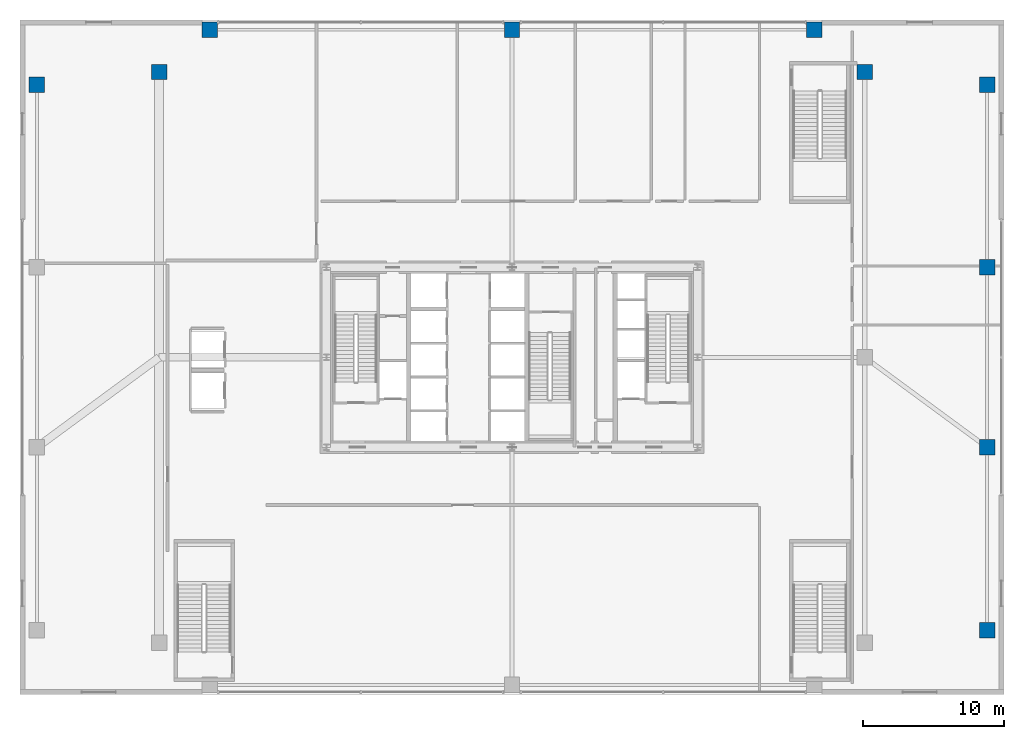
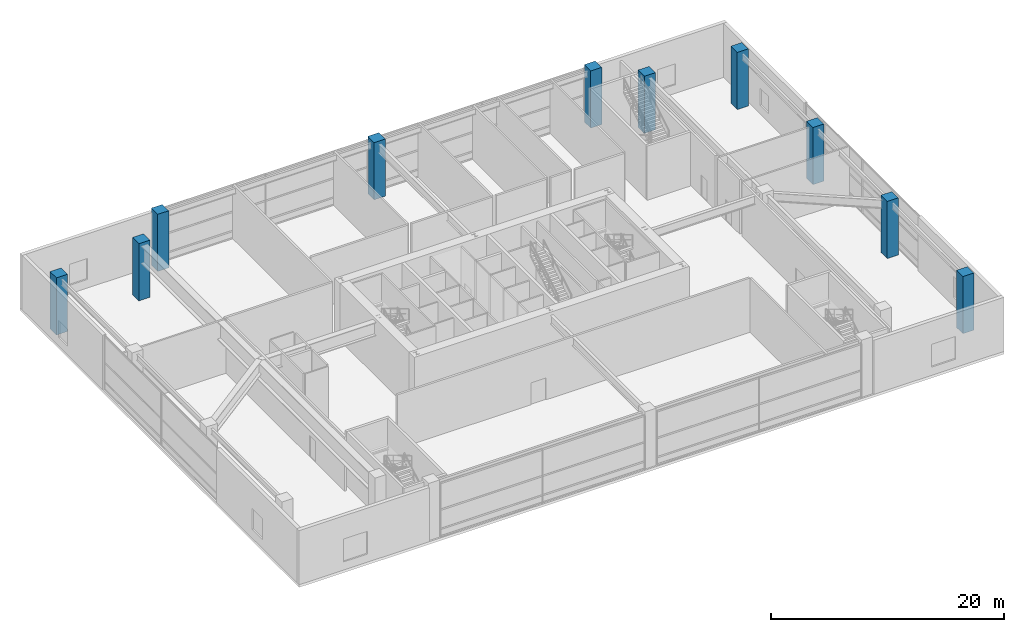
# One storey, part 3 of 39: 10 columns.
"""IFC4 building model written with IfcOpenShell, lengths in metres."""

from ifc_helpers import new_model, si_unit, direction, frame, origin, origin_2d, place, context, subcontext, project, spatial, rectangle, extrude, source, transform, mapped, material, material_profile, profile_set, type_object, element, save


model = new_model("IFC4")

# Units and contexts
model_context = context("Model", 3, precision=1e-05, world=origin(), true_north=direction((0.0, 1.0)))
body_context = subcontext(model_context, "Body", "Model", "MODEL_VIEW")
ifc_project = project(units=[si_unit("LENGTHUNIT", "METRE"), si_unit("AREAUNIT", "SQUARE_METRE"), si_unit("VOLUMEUNIT", "CUBIC_METRE"), si_unit("PLANEANGLEUNIT", "RADIAN"), si_unit("MASSUNIT", "GRAM", prefix="KILO"), si_unit("THERMODYNAMICTEMPERATUREUNIT", "KELVIN"), si_unit("POWERUNIT", "WATT")], contexts=[model_context])

# Site, building, storey
site_placement = place(None, origin())
site = spatial("IfcSite", under=ifc_project, at=site_placement, CompositionType="ELEMENT")
building_placement = place(site_placement, origin())
building = spatial("IfcBuilding", under=site, at=building_placement, Name="Yuzanri Waterfront Tower", CompositionType="ELEMENT")
storey_placement = place(building_placement, frame((0.0, 0.0, 19.800048828125)))
storey = spatial("IfcBuildingStorey", under=building, at=storey_placement, Name="L05", CompositionType="ELEMENT", Elevation=19.800048828125)

# Columns
ifc_material = material(Name="Concrete C50", Category="concrete")
ifc_material_profile = material_profile(ifc_material, rectangle(XDim=1.10009765625, YDim=1.10009765625, at=origin_2d()), Name="RC 1100x1100")
ifc_profile_set = profile_set([ifc_material_profile], Name="Concrete C50")
column_type = type_object("IfcColumnType", Name="Podium RC Column C50 1100x1100", PredefinedType="COLUMN", material=ifc_profile_set)
shared_shape = source(origin(), body_context, "Body", "SweptSolid", [
    extrude(rectangle(XDim=1.10009765625, YDim=1.10009765625, at=origin_2d()), origin(), (0.0, 0.0, 1.0), 6.0),
])
for number, where, z_axis, x_axis, name in (
    (1, (3.199951171875, 45.199951171875, 0.0), (0.0, 0.0, 1.0), (1.0, 0.0, 0.0), "L05 Podium Column PW4"),
    (2, (70.800048828125, 6.39990234375, 0.0), (0.0, 0.0, 1.0), (1.0, 0.0, 0.0), "L05 Podium Column PE1"),
    (3, (70.800048828125, 19.39990234375, 0.0), (0.0, 0.0, 1.0), (1.0, 0.0, 0.0), "L05 Podium Column PE2"),
    (4, (70.800048828125, 32.199951171875, 0.0), (0.0, 0.0, 1.0), (1.0, 0.0, 0.0), "L05 Podium Column PE3"),
    (5, (70.800048828125, 45.199951171875, 0.0), (0.0, 0.0, 1.0), (1.0, 0.0, 0.0), "L05 Podium Column PE4"),
    (6, (11.89990234375, 46.10009765625, 0.0), (0.0, 0.0, 1.0), (1.0, 0.0, 0.0), "L05 Podium Column PTW3"),
    (7, (62.10009765625, 46.10009765625, 0.0), (0.0, 0.0, 1.0), (1.0, 0.0, 0.0), "L05 Podium Column PTE3"),
    (8, (15.5, 49.10009765625, 0.0), (0.0, 0.0, 1.0), (1.0, 0.0, 0.0), "L05 Podium Column PTN1"),
    (9, (37.0, 49.10009765625, 0.0), (0.0, 0.0, 1.0), (1.0, 0.0, 0.0), "L05 Podium Column PTN2"),
    (10, (58.5, 49.10009765625, 0.0), (0.0, 0.0, 1.0), (1.0, 0.0, 0.0), "L05 Podium Column PTN3"),
):
    element("IfcColumn", number, at=place(storey_placement, frame(where, z_axis=z_axis, x_axis=x_axis)), inside=storey, type_object=column_type, Name=name, PredefinedType="COLUMN", context=body_context, shape_type="MappedRepresentation", body=[
        mapped(shared_shape, transform((0.0, 0.0, 0.0), scale=1.0)),
    ])

save(model, "model.ifc")
